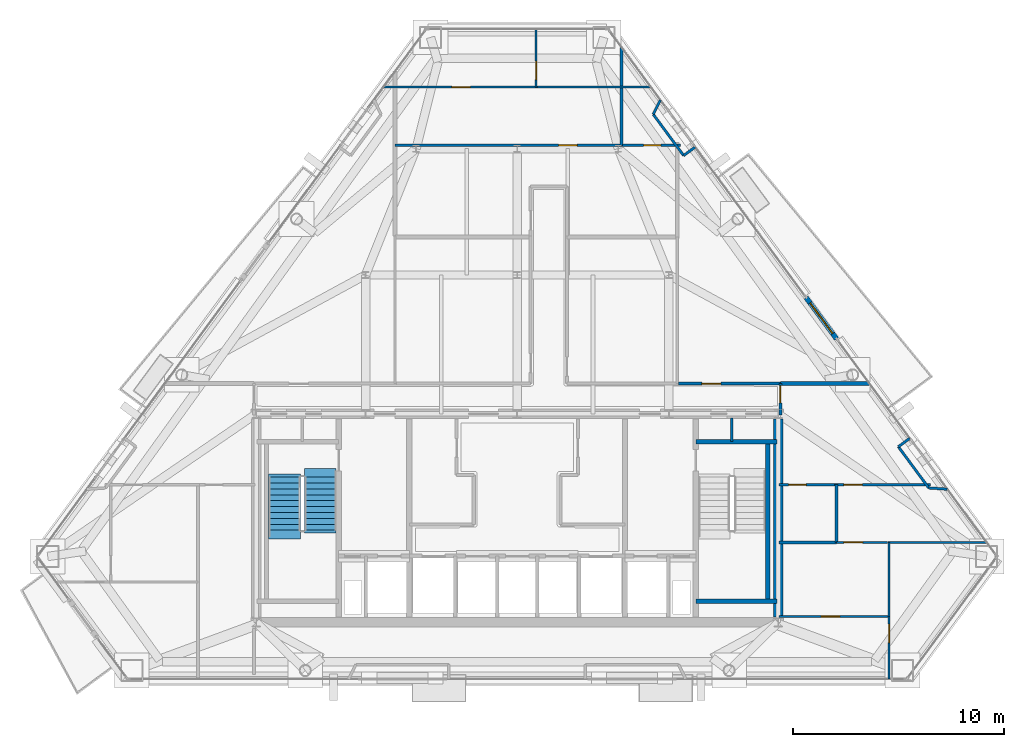
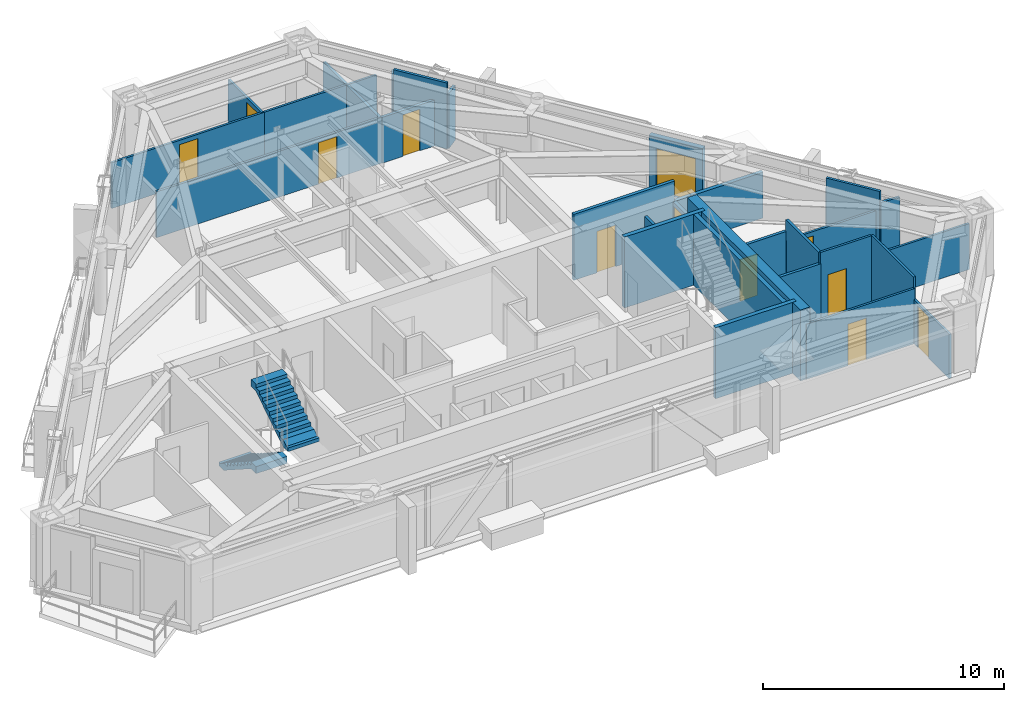
# One storey, part 9 of 12: 30 walls, 12 doors, 2 stair flights, 12 openings, 1 element without a shape of its own.
"""IFC4 building model written with IfcOpenShell, lengths in metres."""

from ifc_helpers import new_model, si_unit, direction, frame, frame_2d, origin, place, context, subcontext, project, spatial, polyline, rectangle, outline, extrude, material, layer, layer_set, type_object, element, fill, aggregate, save


model = new_model("IFC4")

# Units and contexts
model_context = context("Model", 3, precision=1e-05, world=origin(), true_north=direction((0.0, 1.0)))
body_context = subcontext(model_context, "Body", "Model", "MODEL_VIEW")
ifc_project = project(units=[si_unit("LENGTHUNIT", "METRE"), si_unit("AREAUNIT", "SQUARE_METRE"), si_unit("VOLUMEUNIT", "CUBIC_METRE"), si_unit("PLANEANGLEUNIT", "RADIAN"), si_unit("MASSUNIT", "GRAM", prefix="KILO")], contexts=[model_context])

# Site, building, storey
site_placement = place(None, origin())
site = spatial("IfcSite", under=ifc_project, at=site_placement, CompositionType="ELEMENT")
building_placement = place(site_placement, origin())
building = spatial("IfcBuilding", under=site, at=building_placement, Name="Talgorran Terracotta Tower", CompositionType="ELEMENT")
storey_placement = place(building_placement, frame((0.0, 0.0, 182.10009765625)))
storey = spatial("IfcBuildingStorey", under=building, at=storey_placement, Name="L47", CompositionType="ELEMENT", Elevation=182.10009765625)

# Wall, opening, door
ifc_material_1 = material(Name="Concrete C40/50", Category="concrete")
ifc_layer_1 = layer(ifc_material_1, 0.239990234375, Name="WT_BALCONY_SPAND")
ifc_layer_set_1 = layer_set([ifc_layer_1], Name="Concrete C40/50")
wall_type_1 = type_object("IfcWallType", Name="WT_BALCONY_SPAND", PredefinedType="STANDARD", material=ifc_layer_set_1)
wall_1_placement = place(storey_placement, frame((15.168212890625, -0.63330078125, -0.01513671875), z_axis=(0.0, 0.0, 1.0), x_axis=(-0.593448168385, 0.804872208142, 0.0)))
wall_1 = element("IfcWall", 1, at=wall_1_placement, inside=storey, type_object=wall_type_1, Name="WL-L47-BALP-BAL-NE", PredefinedType="STANDARD", context=body_context, shape_type="SweptSolid", body=[
    extrude(rectangle(XDim=2.43994140625, YDim=0.239990234375, at=frame_2d((1.219970703125, 0.0))), origin(), (0.0, 0.0, 1.0), 2.80712890625),
])
opening_1_placement = place(wall_1_placement, frame((0.320068359375, 0.0, 0.014892578125)))
opening_1 = element("IfcOpeningElement", 2, at=opening_1_placement, cuts=wall_1, Name="Opening D-BAL-L47-1", PredefinedType="OPENING", context=body_context, shape_type="SweptSolid", body=[
    extrude(rectangle(XDim=1.806048828125, YDim=2.203951171875, at=frame_2d((0.89990234375, 1.10205078125))), frame((0.0, 0.1298828125, 0.0), z_axis=(0.0, -1.0, 0.0), x_axis=(1.0, 0.0, 0.0)), (0.0, 0.0, 1.0), 0.260009765625),
])
ifc_material_2 = material(Name="Thermally Broken Aluminium", Category="aluminium")
door_type_1 = type_object("IfcDoorType", Name="DT_BALC_1800", OperationType="SLIDING_TO_LEFT", PredefinedType="DOOR", material=ifc_material_2)
door_1_placement = place(opening_1_placement, origin())
door_1 = element("IfcDoor", 3, at=door_1_placement, inside=storey, type_object=door_type_1, Name="DR-L47-BAL-BAL-NE", OperationType="SLIDING_TO_LEFT", OverallHeight=2.199951171875, OverallWidth=1.800048828125, PredefinedType="DOOR", context=body_context, shape_type="SweptSolid", body=[
    extrude(rectangle(XDim=1.800048828125, YDim=2.199951171875, at=frame_2d((0.89990234375, 1.10009765625))), frame((0.0, 0.02490234375, 0.0), z_axis=(0.0, -1.0, 0.0), x_axis=(1.0, 0.0, 0.0)), (0.0, 0.0, 1.0), 0.050048828125),
])
fill(opening_1, door_1)

# Walls
ifc_material_3 = material(Name="Concrete C50/60", Category="concrete")
ifc_layer_2 = layer(ifc_material_3, 0.199951171875, Name="WT_CORE_200")
ifc_layer_set_2 = layer_set([ifc_layer_2], Name="Concrete C50/60")
wall_type_2 = type_object("IfcWallType", Name="WT_CORE_200", PredefinedType="SOLIDWALL", material=ifc_layer_set_2)
for number, where, z_axis, x_axis, name in (
    (4, (8.47998046875, -5.52001953125, 0.0), (0.0, 0.0, 1.0), (1.0, 0.0, 0.0), "WL-L47-CW-ST2-N"),
    (5, (8.47998046875, -13.10009765625, 0.0), (0.0, 0.0, 1.0), (1.0, 0.0, 0.0), "WL-L47-CW-ST2-S"),
):
    element("IfcWall", number, at=place(storey_placement, frame(where, z_axis=z_axis, x_axis=x_axis)), inside=storey, type_object=wall_type_2, Name=name, PredefinedType="SOLIDWALL", context=body_context, shape_type="SweptSolid", body=[
        extrude(rectangle(XDim=3.8701171875, YDim=0.199951171875, at=frame_2d((1.93505859375, 0.0))), origin(), (0.0, 0.0, 1.0), 3.599853515625),
    ])
wall_2_placement = place(storey_placement, frame((11.89990234375, -13.10009765625, 0.0), z_axis=(0.0, 0.0, 1.0), x_axis=(0.0, 1.0, 0.0)))
element("IfcWall", 6, at=wall_2_placement, inside=storey, type_object=wall_type_2, Name="WL-L47-CW-ST2-E", PredefinedType="SOLIDWALL", context=body_context, shape_type="SweptSolid", body=[
    extrude(rectangle(XDim=7.580078125, YDim=0.199951171875, at=frame_2d((3.7900390625, 0.0))), origin(), (0.0, 0.0, 1.0), 3.599853515625),
])
ifc_material_4 = material(Name="Concrete C65/80", Category="concrete")
ifc_layer_3 = layer(ifc_material_4, 0.449951171875, Name="WT_CORE_EXT")
ifc_layer_set_3 = layer_set([ifc_layer_3], Name="Concrete C65/80")
wall_type_3 = type_object("IfcWallType", Name="WT_CORE_EXT", PredefinedType="SHEAR", material=ifc_layer_set_3)
wall_3_placement = place(storey_placement, frame((12.39990234375, -13.85009765625, 0.0), z_axis=(0.0, 0.0, 1.0), x_axis=(0.0, 1.0, 0.0)))
element("IfcWall", 7, at=wall_3_placement, inside=storey, type_object=wall_type_3, Name="WL-L47-CW-OUT-E", PredefinedType="SHEAR", context=body_context, shape_type="SweptSolid", body=[
    extrude(rectangle(XDim=9.400146484375, YDim=0.449951171875, at=frame_2d((4.7001953125, 0.0))), origin(), (0.0, 0.0, 1.0), 3.599853515625),
])

# Wall, opening, door
ifc_material_5 = material(Name="Fire-Rated Steel Stud Plasterboard", Category="steel")
ifc_layer_4 = layer(ifc_material_5, 0.14990234375, Name="WT_FIRE_150")
ifc_layer_set_4 = layer_set([ifc_layer_4], Name="Fire-Rated Steel Stud Plasterboard")
wall_type_4 = type_object("IfcWallType", Name="WT_FIRE_150", PredefinedType="PARTITIONING", material=ifc_layer_set_4)
wall_4_placement = place(storey_placement, frame((7.662109375, -2.760009765625, 0.0), z_axis=(0.0, 0.0, 1.0), x_axis=(1.0, 0.0, 0.0)))
wall_4 = element("IfcWall", 8, at=wall_4_placement, inside=storey, type_object=wall_type_4, Name="WL-L47-W-L47-R08", PredefinedType="PARTITIONING", context=body_context, shape_type="SweptSolid", body=[
    extrude(rectangle(XDim=4.837890625, YDim=0.14990234375, at=frame_2d((2.4189453125, 0.0))), origin(), (0.0, 0.0, 1.0), 3.349853515625),
])
opening_2_placement = place(wall_4_placement, frame((1.1123046875, 0.0, 0.0)))
opening_2 = element("IfcOpeningElement", 9, at=opening_2_placement, cuts=wall_4, Name="Opening DR-L47-R13", PredefinedType="OPENING", context=body_context, shape_type="SweptSolid", body=[
    extrude(rectangle(XDim=0.90590234375, YDim=2.10409765625, at=frame_2d((0.449951171875, 1.052001953125))), frame((0.0, 0.0849609375, 0.0), z_axis=(0.0, -1.0, 0.0), x_axis=(1.0, 0.0, 0.0)), (0.0, 0.0, 1.0), 0.169921875),
])
ifc_material_6 = material(Name="Fire-Rated Timber Core", Category="wood")
door_type_2 = type_object("IfcDoorType", Name="DT_FIRE_900", OperationType="NOTDEFINED", PredefinedType="DOOR", material=ifc_material_6)
door_2_placement = place(opening_2_placement, origin())
door_2 = element("IfcDoor", 10, at=door_2_placement, inside=storey, type_object=door_type_2, Name="DR-L47-R13", OperationType="SINGLE_SWING_LEFT", OverallHeight=2.10009765625, OverallWidth=0.89990234375, PredefinedType="DOOR", context=body_context, shape_type="SweptSolid", body=[
    extrude(rectangle(XDim=0.89990234375, YDim=2.10009765625, at=frame_2d((0.449951171875, 1.050048828125))), frame((0.0, 0.02490234375, 0.0), z_axis=(0.0, -1.0, 0.0), x_axis=(1.0, 0.0, 0.0)), (0.0, 0.0, 1.0), 0.050048828125),
])
fill(opening_2, door_2)

wall_5_placement = place(storey_placement, frame((12.5, -4.239990234375, 0.0), z_axis=(0.0, 0.0, 1.0), x_axis=(0.0, 1.0, 0.0)))
wall_5 = element("IfcWall", 11, at=wall_5_placement, inside=storey, type_object=wall_type_4, Name="WL-L47-W-L47-R02", PredefinedType="PARTITIONING", context=body_context, shape_type="SweptSolid", body=[
    extrude(rectangle(XDim=1.47998046875, YDim=0.14990234375, at=frame_2d((0.739990234375, 0.0))), origin(), (0.0, 0.0, 1.0), 2.324951171875),
])
opening_3_placement = place(wall_5_placement, frame((0.56005859375, 0.0, 0.0)))
opening_3 = element("IfcOpeningElement", 12, at=opening_3_placement, cuts=wall_5, Name="Opening DR-L47-R05", PredefinedType="OPENING", context=body_context, shape_type="SweptSolid", body=[
    extrude(rectangle(XDim=0.826068359375, YDim=2.10409765625, at=frame_2d((0.41015625, 1.052001953125))), frame((0.0, 0.0849609375, 0.0), z_axis=(0.0, -1.0, 0.0), x_axis=(1.0, 0.0, 0.0)), (0.0, 0.0, 1.0), 0.169921875),
])
ifc_material_7 = material(Name="Moisture-Resistant Solid Timber", Category="wood")
door_type_3 = type_object("IfcDoorType", Name="DT_INT_820", OperationType="NOTDEFINED", PredefinedType="DOOR", material=ifc_material_7)
door_3_placement = place(opening_3_placement, origin())
door_3 = element("IfcDoor", 13, at=door_3_placement, inside=storey, type_object=door_type_3, Name="DR-L47-R05", OperationType="SINGLE_SWING_LEFT", OverallHeight=2.10009765625, OverallWidth=0.820068359375, PredefinedType="DOOR", context=body_context, shape_type="SweptSolid", body=[
    extrude(rectangle(XDim=0.820068359375, YDim=2.10009765625, at=frame_2d((0.41015625, 1.050048828125))), frame((0.0, 0.02490234375, 0.0), z_axis=(0.0, -1.0, 0.0), x_axis=(1.0, 0.0, 0.0)), (0.0, 0.0, 1.0), 0.050048828125),
])
fill(opening_3, door_3)

# Wall
ifc_material_8 = material(Name="Acoustic Stud and Plasterboard")
ifc_layer_5 = layer(ifc_material_8, 0.179931640625, Name="WT_PARTY_200")
ifc_layer_set_5 = layer_set([ifc_layer_5], Name="Acoustic Stud and Plasterboard")
wall_type_5 = type_object("IfcWallType", Name="WT_PARTY_200", PredefinedType="PARTITIONING", material=ifc_layer_set_5)
wall_6_placement = place(storey_placement, frame((12.5, -2.760009765625, 0.0), z_axis=(0.0, 0.0, 1.0), x_axis=(1.0, 0.0, 0.0)))
element("IfcWall", 14, at=wall_6_placement, inside=storey, type_object=wall_type_5, Name="WL-L47-W-L47-R23", PredefinedType="PARTITIONING", context=body_context, shape_type="SweptSolid", body=[
    extrude(rectangle(XDim=4.236572265625, YDim=0.179931640625, at=frame_2d((2.1181640625, 0.0))), origin(), (0.0, 0.0, 1.0), 2.324951171875),
])

# Wall, opening, door
ifc_material_9 = material(Name="Lightweight Steel Stud Partition", Category="steel")
ifc_layer_6 = layer(ifc_material_9, 0.10498046875, Name="WT_PART_110")
ifc_layer_set_6 = layer_set([ifc_layer_6], Name="Lightweight Steel Stud Partition")
wall_type_6 = type_object("IfcWallType", Name="WT_PART_110", PredefinedType="PARTITIONING", material=ifc_layer_set_6)
wall_7_placement = place(storey_placement, frame((-5.800048828125, 8.56005859375, 0.0), z_axis=(0.0, 0.0, 1.0), x_axis=(1.0, 0.0, 0.0)))
wall_7 = element("IfcWall", 15, at=wall_7_placement, inside=storey, type_object=wall_type_6, Name="WL-L47-W-L47-R39", PredefinedType="PARTITIONING", context=body_context, shape_type="SweptSolid", body=[
    extrude(rectangle(XDim=10.800048828125, YDim=0.10498046875, at=frame_2d((5.39990234375, 0.0))), origin(), (0.0, 0.0, 1.0), 2.324951171875),
])
opening_4_placement = place(wall_7_placement, frame((7.768310546875, 0.0, 0.0)))
opening_4 = element("IfcOpeningElement", 16, at=opening_4_placement, cuts=wall_7, Name="Opening DR-L47-R16", PredefinedType="OPENING", context=body_context, shape_type="SweptSolid", body=[
    extrude(rectangle(XDim=0.8858828125, YDim=2.10409765625, at=frame_2d((0.43994140625, 1.052001953125))), frame((0.0, 0.0625, 0.0), z_axis=(0.0, -1.0, 0.0), x_axis=(1.0, 0.0, 0.0)), (0.0, 0.0, 1.0), 0.125),
])
ifc_material_10 = material(Name="Solid-Core Painted Timber", Category="wood")
door_type_4 = type_object("IfcDoorType", Name="DT_INT_880", OperationType="NOTDEFINED", PredefinedType="DOOR", material=ifc_material_10)
door_4_placement = place(opening_4_placement, origin())
door_4 = element("IfcDoor", 17, at=door_4_placement, inside=storey, type_object=door_type_4, Name="DR-L47-R16", OperationType="SINGLE_SWING_RIGHT", OverallHeight=2.10009765625, OverallWidth=0.8798828125, PredefinedType="DOOR", context=body_context, shape_type="SweptSolid", body=[
    extrude(rectangle(XDim=0.8798828125, YDim=2.10009765625, at=frame_2d((0.43994140625, 1.050048828125))), frame((0.0, 0.02490234375, 0.0), z_axis=(0.0, -1.0, 0.0), x_axis=(1.0, 0.0, 0.0)), (0.0, 0.0, 1.0), 0.050048828125),
])
fill(opening_4, door_4)

wall_8_placement = place(storey_placement, frame((-6.35400390625, 11.320068359375, 0.0), z_axis=(0.0, 0.0, 1.0), x_axis=(1.0, 0.0, 0.0)))
wall_8 = element("IfcWall", 18, at=wall_8_placement, inside=storey, type_object=wall_type_6, Name="WL-L47-W-L47-R41", PredefinedType="PARTITIONING", context=body_context, shape_type="SweptSolid", body=[
    extrude(rectangle(XDim=7.31396484375, YDim=0.10498046875, at=frame_2d((3.656982421875, 0.0))), origin(), (0.0, 0.0, 1.0), 2.324951171875),
])
opening_5_placement = place(wall_8_placement, frame((3.255615234375, 0.0, 0.0)))
opening_5 = element("IfcOpeningElement", 19, at=opening_5_placement, cuts=wall_8, Name="Opening DR-L47-R17", PredefinedType="OPENING", context=body_context, shape_type="SweptSolid", body=[
    extrude(rectangle(XDim=0.8858828125, YDim=2.10409765625, at=frame_2d((0.43994140625, 1.052001953125))), frame((0.0, 0.0625, 0.0), z_axis=(0.0, -1.0, 0.0), x_axis=(1.0, 0.0, 0.0)), (0.0, 0.0, 1.0), 0.125),
])
door_5_placement = place(opening_5_placement, origin())
door_5 = element("IfcDoor", 20, at=door_5_placement, inside=storey, type_object=door_type_4, Name="DR-L47-R17", OperationType="SINGLE_SWING_LEFT", OverallHeight=2.10009765625, OverallWidth=0.8798828125, PredefinedType="DOOR", context=body_context, shape_type="SweptSolid", body=[
    extrude(rectangle(XDim=0.8798828125, YDim=2.10009765625, at=frame_2d((0.43994140625, 1.050048828125))), frame((0.0, 0.02490234375, 0.0), z_axis=(0.0, -1.0, 0.0), x_axis=(1.0, 0.0, 0.0)), (0.0, 0.0, 1.0), 0.050048828125),
])
fill(opening_5, door_5)

# Wall
wall_9_placement = place(storey_placement, frame((0.9619140625, 11.320068359375, 0.0), z_axis=(0.0, 0.0, 1.0), x_axis=(1.0, 0.0, 0.0)))
element("IfcWall", 21, at=wall_9_placement, inside=storey, type_object=wall_type_6, Name="WL-L47-W-L47-R42", PredefinedType="PARTITIONING", context=body_context, shape_type="SweptSolid", body=[
    extrude(rectangle(XDim=5.39208984375, YDim=0.10498046875, at=frame_2d((2.696044921875, 0.0))), origin(), (0.0, 0.0, 1.0), 2.324951171875),
])

# Wall, opening, door
wall_10_placement = place(storey_placement, frame((12.43994140625, -13.820068359375, 0.0), z_axis=(0.0, 0.0, 1.0), x_axis=(1.0, 0.0, 0.0)))
wall_10 = element("IfcWall", 22, at=wall_10_placement, inside=storey, type_object=wall_type_6, Name="WL-L47-W-L47-R28", PredefinedType="PARTITIONING", context=body_context, shape_type="SweptSolid", body=[
    extrude(rectangle(XDim=5.219970703125, YDim=0.10498046875, at=frame_2d((2.60986328125, 0.0))), origin(), (0.0, 0.0, 1.0), 2.7919921875),
])
opening_6_placement = place(wall_10_placement, frame((2.003173828125, 0.0, 0.0)))
opening_6 = element("IfcOpeningElement", 23, at=opening_6_placement, cuts=wall_10, Name="Opening DR-L47-R09", PredefinedType="OPENING", context=body_context, shape_type="SweptSolid", body=[
    extrude(rectangle(XDim=0.8858828125, YDim=2.10409765625, at=frame_2d((0.43994140625, 1.052001953125))), frame((0.0, 0.0625, 0.0), z_axis=(0.0, -1.0, 0.0), x_axis=(1.0, 0.0, 0.0)), (0.0, 0.0, 1.0), 0.125),
])
door_6_placement = place(opening_6_placement, origin())
door_6 = element("IfcDoor", 24, at=door_6_placement, inside=storey, type_object=door_type_4, Name="DR-L47-R09", OperationType="SINGLE_SWING_LEFT", OverallHeight=2.10009765625, OverallWidth=0.8798828125, PredefinedType="DOOR", context=body_context, shape_type="SweptSolid", body=[
    extrude(rectangle(XDim=0.8798828125, YDim=2.10009765625, at=frame_2d((0.43994140625, 1.050048828125))), frame((0.0, 0.02490234375, 0.0), z_axis=(0.0, -1.0, 0.0), x_axis=(1.0, 0.0, 0.0)), (0.0, 0.0, 1.0), 0.050048828125),
])
fill(opening_6, door_6)

# Wall
wall_11_placement = place(storey_placement, frame((17.60009765625, -10.300048828125, 0.0), z_axis=(0.0, 0.0, 1.0), x_axis=(1.0, 0.0, 0.0)))
element("IfcWall", 25, at=wall_11_placement, inside=storey, type_object=wall_type_6, Name="WL-L47-W-L47-R27", PredefinedType="PARTITIONING", context=body_context, shape_type="SweptSolid", body=[
    extrude(rectangle(XDim=4.696533203125, YDim=0.10498046875, at=frame_2d((2.34814453125, 0.0))), origin(), (0.0, 0.0, 1.0), 2.324951171875),
])

# Wall, opening, door
wall_12_placement = place(storey_placement, frame((15.080078125, -7.56005859375, 0.0), z_axis=(0.0, 0.0, 1.0), x_axis=(1.0, 0.0, 0.0)))
wall_12 = element("IfcWall", 26, at=wall_12_placement, inside=storey, type_object=wall_type_6, Name="WL-L47-W-L47-R22", PredefinedType="PARTITIONING", context=body_context, shape_type="SweptSolid", body=[
    extrude(rectangle(XDim=4.559814453125, YDim=0.10498046875, at=frame_2d((2.27978515625, 0.0))), origin(), (0.0, 0.0, 1.0), 2.324951171875),
])
opening_7_placement = place(wall_12_placement, frame((0.43798828125, 0.0, 0.0)))
opening_7 = element("IfcOpeningElement", 27, at=opening_7_placement, cuts=wall_12, Name="Opening DR-L47-R07", PredefinedType="OPENING", context=body_context, shape_type="SweptSolid", body=[
    extrude(rectangle(XDim=0.8858828125, YDim=2.10409765625, at=frame_2d((0.43994140625, 1.052001953125))), frame((0.0, 0.0625, 0.0), z_axis=(0.0, -1.0, 0.0), x_axis=(1.0, 0.0, 0.0)), (0.0, 0.0, 1.0), 0.125),
])
door_7_placement = place(opening_7_placement, origin())
door_7 = element("IfcDoor", 28, at=door_7_placement, inside=storey, type_object=door_type_4, Name="DR-L47-R07", OperationType="SINGLE_SWING_LEFT", OverallHeight=2.10009765625, OverallWidth=0.8798828125, PredefinedType="DOOR", context=body_context, shape_type="SweptSolid", body=[
    extrude(rectangle(XDim=0.8798828125, YDim=2.10009765625, at=frame_2d((0.43994140625, 1.050048828125))), frame((0.0, 0.02490234375, 0.0), z_axis=(0.0, -1.0, 0.0), x_axis=(1.0, 0.0, 0.0)), (0.0, 0.0, 1.0), 0.050048828125),
])
fill(opening_7, door_7)

# Wall
wall_13_placement = place(storey_placement, frame((17.659912109375, -13.820068359375, 0.0), z_axis=(0.0, 0.0, 1.0), x_axis=(0.0, 1.0, 0.0)))
element("IfcWall", 29, at=wall_13_placement, inside=storey, type_object=wall_type_6, Name="WL-L47-W-L47-R30", PredefinedType="PARTITIONING", context=body_context, shape_type="SweptSolid", body=[
    extrude(rectangle(XDim=3.52001953125, YDim=0.10498046875, at=frame_2d((1.760009765625, 0.0))), origin(), (0.0, 0.0, 1.0), 3.349853515625),
])

# Wall, opening, door
wall_14_placement = place(storey_placement, frame((17.659912109375, -16.78564453125, 0.0), z_axis=(0.0, 0.0, 1.0), x_axis=(0.0, 1.0, 0.0)))
wall_14 = element("IfcWall", 30, at=wall_14_placement, inside=storey, type_object=wall_type_6, Name="WL-L47-W-L47-R29", PredefinedType="PARTITIONING", context=body_context, shape_type="SweptSolid", body=[
    extrude(rectangle(XDim=2.965576171875, YDim=0.10498046875, at=frame_2d((1.48291015625, 0.0))), origin(), (0.0, 0.0, 1.0), 2.239990234375),
])
opening_8_placement = place(wall_14_placement, frame((1.727294921875, 0.0, 0.0)))
opening_8 = element("IfcOpeningElement", 31, at=opening_8_placement, cuts=wall_14, Name="Opening DR-L47-R08", PredefinedType="OPENING", context=body_context, shape_type="SweptSolid", body=[
    extrude(rectangle(XDim=0.8858828125, YDim=2.10409765625, at=frame_2d((0.43994140625, 1.052001953125))), frame((0.0, 0.0625, 0.0), z_axis=(0.0, -1.0, 0.0), x_axis=(1.0, 0.0, 0.0)), (0.0, 0.0, 1.0), 0.125),
])
door_8_placement = place(opening_8_placement, origin())
door_8 = element("IfcDoor", 32, at=door_8_placement, inside=storey, type_object=door_type_4, Name="DR-L47-R08", OperationType="SINGLE_SWING_RIGHT", OverallHeight=2.10009765625, OverallWidth=0.8798828125, PredefinedType="DOOR", context=body_context, shape_type="SweptSolid", body=[
    extrude(rectangle(XDim=0.8798828125, YDim=2.10009765625, at=frame_2d((0.43994140625, 1.050048828125))), frame((0.0, 0.02490234375, 0.0), z_axis=(0.0, -1.0, 0.0), x_axis=(1.0, 0.0, 0.0)), (0.0, 0.0, 1.0), 0.050048828125),
])
fill(opening_8, door_8)

wall_15_placement = place(storey_placement, frame((0.89990234375, 11.320068359375, 0.0), z_axis=(0.0, 0.0, 1.0), x_axis=(0.0, 1.0, 0.0)))
wall_15 = element("IfcWall", 33, at=wall_15_placement, inside=storey, type_object=wall_type_6, Name="WL-L47-W-L47-R43", PredefinedType="PARTITIONING", context=body_context, shape_type="SweptSolid", body=[
    extrude(rectangle(XDim=2.763427734375, YDim=0.10498046875, at=frame_2d((1.3818359375, 0.0))), origin(), (0.0, 0.0, 1.0), 2.324951171875),
])
opening_9_placement = place(wall_15_placement, frame((0.357666015625, 0.0, 0.0)))
opening_9 = element("IfcOpeningElement", 34, at=opening_9_placement, cuts=wall_15, Name="Opening DR-L47-R18", PredefinedType="OPENING", context=body_context, shape_type="SweptSolid", body=[
    extrude(rectangle(XDim=0.8858828125, YDim=2.10409765625, at=frame_2d((0.43994140625, 1.052001953125))), frame((0.0, 0.0625, 0.0), z_axis=(0.0, -1.0, 0.0), x_axis=(1.0, 0.0, 0.0)), (0.0, 0.0, 1.0), 0.125),
])
door_9_placement = place(opening_9_placement, origin())
door_9 = element("IfcDoor", 35, at=door_9_placement, inside=storey, type_object=door_type_4, Name="DR-L47-R18", OperationType="SINGLE_SWING_RIGHT", OverallHeight=2.10009765625, OverallWidth=0.8798828125, PredefinedType="DOOR", context=body_context, shape_type="SweptSolid", body=[
    extrude(rectangle(XDim=0.8798828125, YDim=2.10009765625, at=frame_2d((0.43994140625, 1.050048828125))), frame((0.0, 0.02490234375, 0.0), z_axis=(0.0, -1.0, 0.0), x_axis=(1.0, 0.0, 0.0)), (0.0, 0.0, 1.0), 0.050048828125),
])
fill(opening_9, door_9)

wall_16_placement = place(storey_placement, frame((15.159912109375, -10.300048828125, 0.0), z_axis=(0.0, 0.0, 1.0), x_axis=(1.0, 0.0, 0.0)))
wall_16 = element("IfcWall", 36, at=wall_16_placement, inside=storey, type_object=wall_type_6, Name="WL-L47-W-L47-R26", PredefinedType="PARTITIONING", context=body_context, shape_type="SweptSolid", body=[
    extrude(rectangle(XDim=2.43798828125, YDim=0.10498046875, at=frame_2d((1.218994140625, 0.0))), origin(), (0.0, 0.0, 1.0), 3.349853515625),
])
opening_10_placement = place(wall_16_placement, frame((0.360107421875, 0.0, 0.0)))
opening_10 = element("IfcOpeningElement", 37, at=opening_10_placement, cuts=wall_16, Name="Opening DR-L47-R20", PredefinedType="OPENING", context=body_context, shape_type="SweptSolid", body=[
    extrude(rectangle(XDim=0.8858828125, YDim=2.10409765625, at=frame_2d((0.43994140625, 1.052001953125))), frame((0.0, 0.0625, 0.0), z_axis=(0.0, -1.0, 0.0), x_axis=(1.0, 0.0, 0.0)), (0.0, 0.0, 1.0), 0.125),
])
door_10_placement = place(opening_10_placement, origin())
door_10 = element("IfcDoor", 38, at=door_10_placement, inside=storey, type_object=door_type_4, Name="DR-L47-R20", OperationType="SINGLE_SWING_RIGHT", OverallHeight=2.10009765625, OverallWidth=0.8798828125, PredefinedType="DOOR", context=body_context, shape_type="SweptSolid", body=[
    extrude(rectangle(XDim=0.8798828125, YDim=2.10009765625, at=frame_2d((0.43994140625, 1.050048828125))), frame((0.0, 0.02490234375, 0.0), z_axis=(0.0, -1.0, 0.0), x_axis=(1.0, 0.0, 0.0)), (0.0, 0.0, 1.0), 0.050048828125),
])
fill(opening_10, door_10)

# Walls
ifc_material_11 = material(Name="Insulated Steel Stud Plasterboard", Category="steel")
ifc_layer_7 = layer(ifc_material_11, 0.1201171875, Name="WT_PART_120")
ifc_layer_set_7 = layer_set([ifc_layer_7], Name="Insulated Steel Stud Plasterboard")
wall_type_7 = type_object("IfcWallType", Name="WT_PART_120", PredefinedType="PARTITIONING", material=ifc_layer_set_7)
wall_17_placement = place(storey_placement, frame((10.199951171875, -5.52001953125, 0.0), z_axis=(0.0, 0.0, 1.0), x_axis=(0.0, 1.0, 0.0)))
element("IfcWall", 39, at=wall_17_placement, inside=storey, type_object=wall_type_7, Name="WL-L47-CW-CSE-DIV", PredefinedType="PARTITIONING", context=body_context, shape_type="SweptSolid", body=[
    extrude(rectangle(XDim=1.1201171875, YDim=0.1201171875, at=frame_2d((0.56005859375, 0.0))), origin(), (0.0, 0.0, 1.0), 3.349853515625),
])
for number, where, z_axis, x_axis, name in (
    (40, (19.544189453125, -7.712890625, 0.0), (0.0, 0.0, 1.0), (-0.593582816838, 0.804772911793, 0.0), "WL-L47-BW-L47-12"),
    (41, (7.905029296875, 8.07080078125, 0.0), (0.0, 0.0, 1.0), (-0.593469747426, 0.804856297043, 0.0), "WL-L47-BW-L47-17"),
):
    element("IfcWall", number, at=place(storey_placement, frame(where, z_axis=z_axis, x_axis=x_axis)), inside=storey, type_object=wall_type_7, Name=name, PredefinedType="PARTITIONING", context=body_context, shape_type="SweptSolid", body=[
        extrude(rectangle(XDim=2.429931640625, YDim=0.1201171875, at=frame_2d((1.21484375, 0.0))), origin(), (0.0, 0.0, 1.0), 3.349853515625),
    ])
wall_18_placement = place(storey_placement, frame((20.422119140625, -7.77490234375, 0.0), z_axis=(0.0, 0.0, 1.0), x_axis=(-0.997514712132, 0.070458491903, 0.0)))
element("IfcWall", 42, at=wall_18_placement, inside=storey, type_object=wall_type_7, Name="WL-L47-BW-L47-11", PredefinedType="PARTITIONING", context=body_context, shape_type="SweptSolid", body=[
    extrude(rectangle(XDim=0.880126953125, YDim=0.1201171875, at=frame_2d((0.43994140625, 0.0))), origin(), (0.0, 0.0, 1.0), 2.7919921875),
])
wall_19_placement = place(storey_placement, frame((6.462890625, 10.026611328125, 0.0), z_axis=(0.0, 0.0, 1.0), x_axis=(0.442545737198, 0.896745934191, 0.0)))
element("IfcWall", 43, at=wall_19_placement, inside=storey, type_object=wall_type_7, Name="WL-L47-BW-L47-18", PredefinedType="PARTITIONING", context=body_context, shape_type="SweptSolid", body=[
    extrude(rectangle(XDim=0.754150390625, YDim=0.1201171875, at=frame_2d((0.376953125, 0.0))), origin(), (0.0, 0.0, 1.0), 2.7919921875),
])
wall_20_placement = place(storey_placement, frame((18.101806640625, -5.75732421875, 0.0), z_axis=(0.0, 0.0, 1.0), x_axis=(0.804826838501, 0.593509696659, 0.0)))
element("IfcWall", 44, at=wall_20_placement, inside=storey, type_object=wall_type_7, Name="WL-L47-BW-L47-10", PredefinedType="PARTITIONING", context=body_context, shape_type="SweptSolid", body=[
    extrude(rectangle(XDim=0.670166015625, YDim=0.1201171875, at=frame_2d((0.3349609375, 0.0))), origin(), (0.0, 0.0, 1.0), 2.7919921875),
])
wall_21_placement = place(storey_placement, frame((8.444091796875, 8.468505859375, 0.0), z_axis=(0.0, 0.0, 1.0), x_axis=(-0.804698441933, -0.59368376898, 0.0)))
element("IfcWall", 45, at=wall_21_placement, inside=storey, type_object=wall_type_7, Name="WL-L47-BW-L47-16", PredefinedType="PARTITIONING", context=body_context, shape_type="SweptSolid", body=[
    extrude(rectangle(XDim=0.669921875, YDim=0.1201171875, at=frame_2d((0.3349609375, 0.0))), origin(), (0.0, 0.0, 1.0), 2.7919921875),
])
ifc_material_12 = material(Name="Moisture-Resistant Stud Wall")
ifc_layer_8 = layer(ifc_material_12, 0.135009765625, Name="WT_PART_135")
ifc_layer_set_8 = layer_set([ifc_layer_8], Name="Moisture-Resistant Stud Wall")
wall_type_8 = type_object("IfcWallType", Name="WT_PART_135", PredefinedType="PARTITIONING", material=ifc_layer_set_8)
wall_22_placement = place(storey_placement, frame((4.9599609375, 8.56005859375, 0.0), z_axis=(0.0, 0.0, 1.0), x_axis=(0.0, 1.0, 0.0)))
element("IfcWall", 46, at=wall_22_placement, inside=storey, type_object=wall_type_8, Name="WL-L47-W-L47-R40", PredefinedType="PARTITIONING", context=body_context, shape_type="SweptSolid", body=[
    extrude(rectangle(XDim=4.650390625, YDim=0.135009765625, at=frame_2d((2.3251953125, 0.0))), origin(), (0.0, 0.0, 1.0), 2.324951171875),
])

# Wall, opening, door
wall_23_placement = place(storey_placement, frame((5.001953125, 8.56005859375, 0.0), z_axis=(0.0, 0.0, 1.0), x_axis=(1.0, 0.0, 0.0)))
wall_23 = element("IfcWall", 47, at=wall_23_placement, inside=storey, type_object=wall_type_8, Name="WL-L47-W-L47-R38", PredefinedType="PARTITIONING", context=body_context, shape_type="SweptSolid", body=[
    extrude(rectangle(XDim=2.758056640625, YDim=0.135009765625, at=frame_2d((1.37890625, 0.0))), origin(), (0.0, 0.0, 1.0), 2.324951171875),
])
opening_11_placement = place(wall_23_placement, frame((1.005615234375, 0.0, 0.0)))
opening_11 = element("IfcOpeningElement", 48, at=opening_11_placement, cuts=wall_23, Name="Opening DR-L47-R15", PredefinedType="OPENING", context=body_context, shape_type="SweptSolid", body=[
    extrude(rectangle(XDim=0.826068359375, YDim=2.10409765625, at=frame_2d((0.41015625, 1.052001953125))), frame((0.0, 0.07763671875, 0.0), z_axis=(0.0, -1.0, 0.0), x_axis=(1.0, 0.0, 0.0)), (0.0, 0.0, 1.0), 0.155029296875),
])
door_11_placement = place(opening_11_placement, origin())
door_11 = element("IfcDoor", 49, at=door_11_placement, inside=storey, type_object=door_type_3, Name="DR-L47-R15", OperationType="SINGLE_SWING_LEFT", OverallHeight=2.10009765625, OverallWidth=0.820068359375, PredefinedType="DOOR", context=body_context, shape_type="SweptSolid", body=[
    extrude(rectangle(XDim=0.820068359375, YDim=2.10009765625, at=frame_2d((0.41015625, 1.050048828125))), frame((0.0, 0.02490234375, 0.0), z_axis=(0.0, -1.0, 0.0), x_axis=(1.0, 0.0, 0.0)), (0.0, 0.0, 1.0), 0.050048828125),
])
fill(opening_11, door_11)

wall_24_placement = place(storey_placement, frame((12.43994140625, -7.56005859375, 0.0), z_axis=(0.0, 0.0, 1.0), x_axis=(1.0, 0.0, 0.0)))
wall_24 = element("IfcWall", 50, at=wall_24_placement, inside=storey, type_object=wall_type_8, Name="WL-L47-W-L47-R21", PredefinedType="PARTITIONING", context=body_context, shape_type="SweptSolid", body=[
    extrude(rectangle(XDim=2.637939453125, YDim=0.135009765625, at=frame_2d((1.31884765625, 0.0))), origin(), (0.0, 0.0, 1.0), 2.7919921875),
])
opening_12_placement = place(wall_24_placement, frame((0.457763671875, 0.0, 0.0)))
opening_12 = element("IfcOpeningElement", 51, at=opening_12_placement, cuts=wall_24, Name="Opening DR-L47-R06", PredefinedType="OPENING", context=body_context, shape_type="SweptSolid", body=[
    extrude(rectangle(XDim=0.826068359375, YDim=2.10409765625, at=frame_2d((0.41015625, 1.052001953125))), frame((0.0, 0.07763671875, 0.0), z_axis=(0.0, -1.0, 0.0), x_axis=(1.0, 0.0, 0.0)), (0.0, 0.0, 1.0), 0.155029296875),
])
door_12_placement = place(opening_12_placement, origin())
door_12 = element("IfcDoor", 52, at=door_12_placement, inside=storey, type_object=door_type_3, Name="DR-L47-R06", OperationType="SINGLE_SWING_RIGHT", OverallHeight=2.10009765625, OverallWidth=0.820068359375, PredefinedType="DOOR", context=body_context, shape_type="SweptSolid", body=[
    extrude(rectangle(XDim=0.820068359375, YDim=2.10009765625, at=frame_2d((0.41015625, 1.050048828125))), frame((0.0, 0.02490234375, 0.0), z_axis=(0.0, -1.0, 0.0), x_axis=(1.0, 0.0, 0.0)), (0.0, 0.0, 1.0), 0.050048828125),
])
fill(opening_12, door_12)

# Walls
wall_25_placement = place(storey_placement, frame((15.159912109375, -10.300048828125, 0.0), z_axis=(0.0, 0.0, 1.0), x_axis=(0.0, 1.0, 0.0)))
element("IfcWall", 53, at=wall_25_placement, inside=storey, type_object=wall_type_8, Name="WL-L47-W-L47-R24", PredefinedType="PARTITIONING", context=body_context, shape_type="SweptSolid", body=[
    extrude(rectangle(XDim=2.739990234375, YDim=0.135009765625, at=frame_2d((1.3701171875, 0.0))), origin(), (0.0, 0.0, 1.0), 3.349853515625),
])
wall_26_placement = place(storey_placement, frame((12.43994140625, -10.300048828125, 0.0), z_axis=(0.0, 0.0, 1.0), x_axis=(1.0, 0.0, 0.0)))
element("IfcWall", 54, at=wall_26_placement, inside=storey, type_object=wall_type_8, Name="WL-L47-W-L47-R25", PredefinedType="PARTITIONING", context=body_context, shape_type="SweptSolid", body=[
    extrude(rectangle(XDim=2.719970703125, YDim=0.135009765625, at=frame_2d((1.35986328125, 0.0))), origin(), (0.0, 0.0, 1.0), 2.7919921875),
])

# Stair, stair flights
stair_type = type_object("IfcStairType", Name="ST_FIRE_SCISSOR", PredefinedType="HALF_TURN_STAIR", material=ifc_material_1)
stair_placement = place(storey_placement, origin())
stair = element("IfcStair", 55, at=stair_placement, inside=storey, type_object=stair_type, Name="L47 West Protected Fire Stair ST-01", PredefinedType="HALF_TURN_STAIR")
ifc_layer_9 = layer(ifc_material_1, 0.179931640625, Name="STF_RC_1500")
ifc_layer_set_9 = layer_set([ifc_layer_9], Name="Concrete C40/50")
stair_flight_type = type_object("IfcStairFlightType", Name="STF_RC_1500", PredefinedType="STRAIGHT", material=ifc_layer_set_9)
stair_flight_1_placement = place(storey_placement, frame((-11.050048828125, -7.199951171875, 0.0), z_axis=(0.0, 0.0, 1.0), x_axis=(0.0, -1.0, 0.0)))
stair_flight_1 = element("IfcStairFlight", 56, at=stair_flight_1_placement, type_object=stair_flight_type, Name="ST-01 flight 1", NumberOfRisers=10, NumberOfTreads=9, PredefinedType="STRAIGHT", RiserHeight=0.18, TreadLength=0.28, context=body_context, shape_type="SweptSolid", body=[
    extrude(outline(polyline([(-0.139892578125, 0.0), (-0.139892578125, 0.179931640625), (0.0, 0.179931640625), (0.280029296875, 0.360107421875), (0.56005859375, 0.360107421875), (0.56005859375, 0.5400390625), (0.840087890625, 0.5400390625), (0.840087890625, 0.719970703125), (1.1201171875, 0.719970703125), (1.1201171875, 0.89990234375), (1.39990234375, 0.89990234375), (1.39990234375, 1.080078125), (1.679931640625, 1.080078125), (1.679931640625, 1.260009765625), (1.9599609375, 1.260009765625), (1.9599609375, 1.43994140625), (2.239990234375, 1.43994140625), (2.239990234375, 1.6201171875), (2.52001953125, 1.6201171875), (2.52001953125, 1.800048828125), (2.93994140625, 1.800048828125), (2.93994140625, 1.44189453125), (2.52001953125, 1.44189453125), (0.277099609375, 0.0), (-0.139892578125, 0.0)])), frame((0.0, 0.75, 0.0), z_axis=(0.0, -1.0, 0.0), x_axis=(1.0, 0.0, 0.0)), (0.0, 0.0, 1.0), 1.5),
])
stair_flight_2_placement = place(storey_placement, frame((-9.35009765625, -9.719970703125, 1.7998046875), z_axis=(0.0, 0.0, 1.0), x_axis=(0.0, 1.0, 0.0)))
stair_flight_2 = element("IfcStairFlight", 57, at=stair_flight_2_placement, type_object=stair_flight_type, Name="ST-01 flight 2", NumberOfRisers=10, NumberOfTreads=9, PredefinedType="STRAIGHT", RiserHeight=0.18, TreadLength=0.28, context=body_context, shape_type="SweptSolid", body=[
    extrude(outline(polyline([(-0.139892578125, 0.0), (-0.139892578125, 0.179931640625), (0.0, 0.179931640625), (0.280029296875, 0.360107421875), (0.56005859375, 0.360107421875), (0.56005859375, 0.5400390625), (0.840087890625, 0.5400390625), (0.840087890625, 0.719970703125), (1.1201171875, 0.719970703125), (1.1201171875, 0.89990234375), (1.39990234375, 0.89990234375), (1.39990234375, 1.080078125), (1.679931640625, 1.080078125), (1.679931640625, 1.260009765625), (1.9599609375, 1.260009765625), (1.9599609375, 1.43994140625), (2.239990234375, 1.43994140625), (2.239990234375, 1.6201171875), (2.52001953125, 1.6201171875), (2.52001953125, 1.800048828125), (2.93994140625, 1.800048828125), (2.93994140625, 1.44189453125), (2.52001953125, 1.44189453125), (0.277099609375, 0.0), (-0.139892578125, 0.0)])), frame((0.0, 0.75, 0.0), z_axis=(0.0, -1.0, 0.0), x_axis=(1.0, 0.0, 0.0)), (0.0, 0.0, 1.0), 1.5),
])
aggregate(stair, [stair_flight_1, stair_flight_2])

save(model, "model.ifc")
